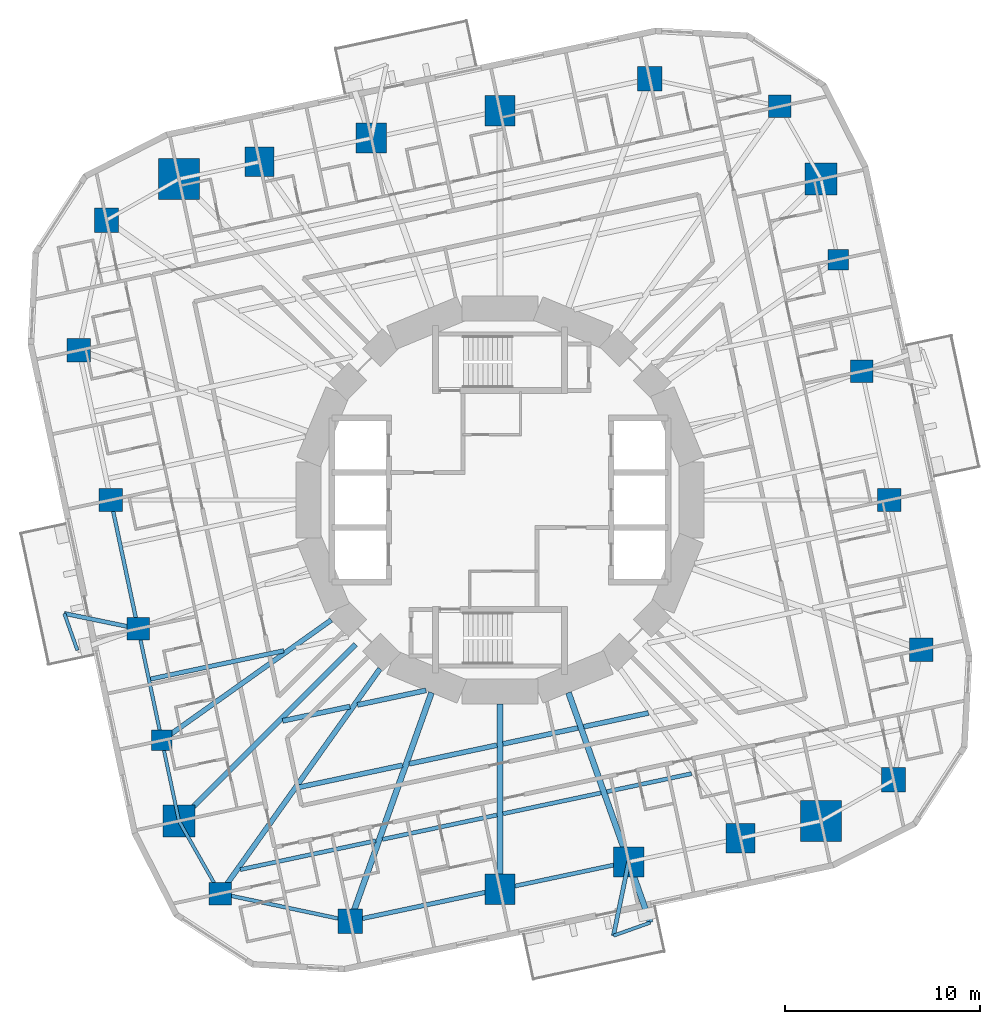
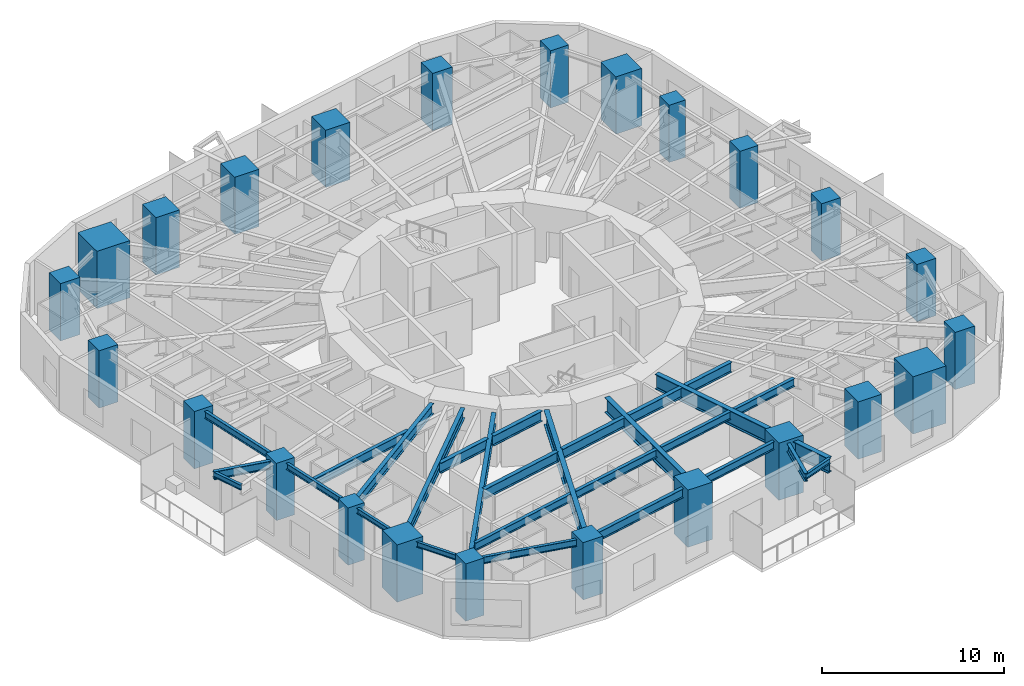
# One storey, part 1 of 14: 28 beams, 24 columns.
"""IFC4 building model written with IfcOpenShell, lengths in metres."""

from ifc_helpers import new_model, si_unit, direction, frame, origin, origin_2d, place, context, subcontext, project, spatial, rectangle, i_section, extrude, material, material_profile, profile_set, type_object, element, save


model = new_model("IFC4")

# Units and contexts
model_context = context("Model", 3, precision=1e-05, world=origin(), true_north=direction((0.0, 1.0)))
body_context = subcontext(model_context, "Body", "Model", "MODEL_VIEW")
ifc_project = project(units=[si_unit("LENGTHUNIT", "METRE"), si_unit("AREAUNIT", "SQUARE_METRE"), si_unit("VOLUMEUNIT", "CUBIC_METRE"), si_unit("PLANEANGLEUNIT", "RADIAN"), si_unit("MASSUNIT", "GRAM", prefix="KILO")], contexts=[model_context])

# Site, building, storey
site_placement = place(None, origin())
site = spatial("IfcSite", under=ifc_project, at=site_placement, CompositionType="ELEMENT")
building_placement = place(site_placement, origin())
building = spatial("IfcBuilding", under=site, at=building_placement, Name="Nakasero Lantern House", CompositionType="ELEMENT")
storey_placement = place(building_placement, frame((0.0, 0.0, 105.0)))
storey = spatial("IfcBuildingStorey", under=building, at=storey_placement, Name="L25", CompositionType="ELEMENT", Elevation=105.0)

# Columns
ifc_material_1 = material(Name="Concrete C50/60", Category="concrete")
ifc_material_profile_1 = material_profile(ifc_material_1, rectangle(XDim=1.64990234375, YDim=1.64990234375, at=origin_2d()), Name="RC 1650x1650")
ifc_profile_set_1 = profile_set([ifc_material_profile_1], Name="Concrete C50/60")
column_type_1 = type_object("IfcColumnType", Name="Mega column RC 1650x1650 C50/60", PredefinedType="COLUMN", material=ifc_profile_set_1)
for number, where, z_axis, x_axis, name in (
    (1, (16.44091796875, 16.44091796875, 0.0), (0.0, 0.0, 1.0), (1.0, 0.0, 0.0), "Column B3-C06 L25"),
    (2, (-16.44091796875, -16.44091796875, 0.0), (0.0, 0.0, 1.0), (1.0, 0.0, 0.0), "Column B3-C18 L25"),
):
    element("IfcColumn", number, at=place(storey_placement, frame(where, z_axis=z_axis, x_axis=x_axis)), inside=storey, type_object=column_type_1, Name=name, PredefinedType="COLUMN", context=body_context, shape_type="SweptSolid", body=[
        extrude(rectangle(XDim=1.64990234375, YDim=1.64990234375, at=origin_2d()), origin(), (0.0, 0.0, 1.0), 3.85009765625),
    ])
ifc_material_2 = material(Name="Concrete C50/60", Category="concrete")
ifc_material_profile_2 = material_profile(ifc_material_2, rectangle(XDim=2.10009765625, YDim=2.10009765625, at=origin_2d()), Name="RC 2100x2100")
ifc_profile_set_2 = profile_set([ifc_material_profile_2], Name="Concrete C50/60")
column_type_2 = type_object("IfcColumnType", Name="Mega column RC 2100x2100 C50/60", PredefinedType="COLUMN", material=ifc_profile_set_2)
for number, where, z_axis, x_axis, name in (
    (3, (-16.44091796875, 16.44091796875, 0.0), (0.0, 0.0, 1.0), (1.0, 0.0, 0.0), "Column B3-C12 L25"),
    (4, (16.44091796875, -16.44091796875, 0.0), (0.0, 0.0, 1.0), (1.0, 0.0, 0.0), "Column B3-C24 L25"),
):
    element("IfcColumn", number, at=place(storey_placement, frame(where, z_axis=z_axis, x_axis=x_axis)), inside=storey, type_object=column_type_2, Name=name, PredefinedType="COLUMN", context=body_context, shape_type="SweptSolid", body=[
        extrude(rectangle(XDim=2.10009765625, YDim=2.10009765625, at=origin_2d()), origin(), (0.0, 0.0, 1.0), 3.85009765625),
    ])
ifc_material_3 = material(Name="Concrete C50/60", Category="concrete")
ifc_material_profile_3 = material_profile(ifc_material_3, rectangle(XDim=1.050048828125, YDim=1.050048828125, at=origin_2d()), Name="RC 1050x1050")
ifc_profile_set_3 = profile_set([ifc_material_profile_3], Name="Concrete C50/60")
column_type_3 = type_object("IfcColumnType", Name="Ring column RC 1050x1050 C50/60", PredefinedType="COLUMN", material=ifc_profile_set_3)
for number, where, z_axis, x_axis, name in (
    (5, (17.318115234375, 12.31494140625, 0.0), (0.0, 0.0, 1.0), (1.0, 0.0, 0.0), "Column B3-C05 L25"),
    (6, (-17.318115234375, -12.31494140625, 0.0), (0.0, 0.0, 1.0), (1.0, 0.0, 0.0), "Column B3-C17 L25"),
):
    element("IfcColumn", number, at=place(storey_placement, frame(where, z_axis=z_axis, x_axis=x_axis)), inside=storey, type_object=column_type_3, Name=name, PredefinedType="COLUMN", context=body_context, shape_type="SweptSolid", body=[
        extrude(rectangle(XDim=1.050048828125, YDim=1.050048828125, at=origin_2d()), origin(), (0.0, 0.0, 1.0), 3.85009765625),
    ])
ifc_material_4 = material(Name="Concrete C50/60", Category="concrete")
ifc_material_profile_4 = material_profile(ifc_material_4, rectangle(XDim=1.14990234375, YDim=1.14990234375, at=origin_2d()), Name="RC 1150x1150")
ifc_profile_set_4 = profile_set([ifc_material_profile_4], Name="Concrete C50/60")
column_type_4 = type_object("IfcColumnType", Name="Ring column RC 1150x1150 C50/60", PredefinedType="COLUMN", material=ifc_profile_set_4)
for number, where, z_axis, x_axis, name in (
    (7, (18.534912109375, 6.590087890625, 0.0), (0.0, 0.0, 1.0), (1.0, 0.0, 0.0), "Column B3-C04 L25"),
    (8, (14.33349609375, 20.15625, 0.0), (0.0, 0.0, 1.0), (1.0, 0.0, 0.0), "Column B3-C07 L25"),
    (9, (-18.534912109375, -6.590087890625, 0.0), (0.0, 0.0, 1.0), (1.0, 0.0, 0.0), "Column B3-C16 L25"),
    (10, (-14.33349609375, -20.15625, 0.0), (0.0, 0.0, 1.0), (1.0, 0.0, 0.0), "Column B3-C19 L25"),
):
    element("IfcColumn", number, at=place(storey_placement, frame(where, z_axis=z_axis, x_axis=x_axis)), inside=storey, type_object=column_type_4, Name=name, PredefinedType="COLUMN", context=body_context, shape_type="SweptSolid", body=[
        extrude(rectangle(XDim=1.14990234375, YDim=1.14990234375, at=origin_2d()), origin(), (0.0, 0.0, 1.0), 3.85009765625),
    ])
ifc_material_5 = material(Name="Concrete C50/60", Category="concrete")
ifc_material_profile_5 = material_profile(ifc_material_5, rectangle(XDim=1.199951171875, YDim=1.199951171875, at=origin_2d()), Name="RC 1200x1200")
ifc_profile_set_5 = profile_set([ifc_material_profile_5], Name="Concrete C50/60")
column_type_5 = type_object("IfcColumnType", Name="Ring column RC 1200x1200 C50/60", PredefinedType="COLUMN", material=ifc_profile_set_5)
for number, where, z_axis, x_axis, name in (
    (11, (21.5654296875, -7.667724609375, 0.0), (0.0, 0.0, 1.0), (1.0, 0.0, 0.0), "Column B3-C02 L25"),
    (12, (19.935546875, 0.0, 0.0), (0.0, 0.0, 1.0), (1.0, 0.0, 0.0), "Column B3-C03 L25"),
    (13, (-21.5654296875, 7.667724609375, 0.0), (0.0, 0.0, 1.0), (1.0, 0.0, 0.0), "Column B3-C14 L25"),
    (14, (-19.935546875, 0.0, 0.0), (0.0, 0.0, 1.0), (1.0, 0.0, 0.0), "Column B3-C15 L25"),
):
    element("IfcColumn", number, at=place(storey_placement, frame(where, z_axis=z_axis, x_axis=x_axis)), inside=storey, type_object=column_type_5, Name=name, PredefinedType="COLUMN", context=body_context, shape_type="SweptSolid", body=[
        extrude(rectangle(XDim=1.199951171875, YDim=1.199951171875, at=origin_2d()), origin(), (0.0, 0.0, 1.0), 3.85009765625),
    ])
ifc_material_6 = material(Name="Concrete C50/60", Category="concrete")
ifc_material_profile_6 = material_profile(ifc_material_6, rectangle(XDim=1.25, YDim=1.25, at=origin_2d()), Name="RC 1250x1250")
ifc_profile_set_6 = profile_set([ifc_material_profile_6], Name="Concrete C50/60")
column_type_6 = type_object("IfcColumnType", Name="Ring column RC 1250x1250 C50/60", PredefinedType="COLUMN", material=ifc_profile_set_6)
for number, where, z_axis, x_axis, name in (
    (15, (20.15625, -14.33349609375, 0.0), (0.0, 0.0, 1.0), (1.0, 0.0, 0.0), "Column B3-C01 L25"),
    (16, (7.667724609375, 21.5654296875, 0.0), (0.0, 0.0, 1.0), (1.0, 0.0, 0.0), "Column B3-C08 L25"),
    (17, (-20.15625, 14.33349609375, 0.0), (0.0, 0.0, 1.0), (1.0, 0.0, 0.0), "Column B3-C13 L25"),
    (18, (-7.667724609375, -21.5654296875, 0.0), (0.0, 0.0, 1.0), (1.0, 0.0, 0.0), "Column B3-C20 L25"),
):
    element("IfcColumn", number, at=place(storey_placement, frame(where, z_axis=z_axis, x_axis=x_axis)), inside=storey, type_object=column_type_6, Name=name, PredefinedType="COLUMN", context=body_context, shape_type="SweptSolid", body=[
        extrude(rectangle(XDim=1.25, YDim=1.25, at=origin_2d()), origin(), (0.0, 0.0, 1.0), 3.85009765625),
    ])
ifc_material_7 = material(Name="Concrete C50/60", Category="concrete")
ifc_material_profile_7 = material_profile(ifc_material_7, rectangle(XDim=1.5, YDim=1.5, at=origin_2d()), Name="RC 1500x1500")
ifc_profile_set_7 = profile_set([ifc_material_profile_7], Name="Concrete C50/60")
column_type_7 = type_object("IfcColumnType", Name="Ring column RC 1500x1500 C50/60", PredefinedType="COLUMN", material=ifc_profile_set_7)
for number, where, z_axis, x_axis, name in (
    (19, (-12.31494140625, 17.318115234375, 0.0), (0.0, 0.0, 1.0), (1.0, 0.0, 0.0), "Column B3-C11 L25"),
    (20, (12.31494140625, -17.318115234375, 0.0), (0.0, 0.0, 1.0), (1.0, 0.0, 0.0), "Column B3-C23 L25"),
):
    element("IfcColumn", number, at=place(storey_placement, frame(where, z_axis=z_axis, x_axis=x_axis)), inside=storey, type_object=column_type_7, Name=name, PredefinedType="COLUMN", context=body_context, shape_type="SweptSolid", body=[
        extrude(rectangle(XDim=1.5, YDim=1.5, at=origin_2d()), origin(), (0.0, 0.0, 1.0), 3.85009765625),
    ])
ifc_material_8 = material(Name="Concrete C50/60", Category="concrete")
ifc_material_profile_8 = material_profile(ifc_material_8, rectangle(XDim=1.550048828125, YDim=1.550048828125, at=origin_2d()), Name="RC 1550x1550")
ifc_profile_set_8 = profile_set([ifc_material_profile_8], Name="Concrete C50/60")
column_type_8 = type_object("IfcColumnType", Name="Ring column RC 1550x1550 C50/60", PredefinedType="COLUMN", material=ifc_profile_set_8)
for number, where, z_axis, x_axis, name in (
    (21, (0.0, 19.935546875, 0.0), (0.0, 0.0, 1.0), (1.0, 0.0, 0.0), "Column B3-C09 L25"),
    (22, (-6.590087890625, 18.534912109375, 0.0), (0.0, 0.0, 1.0), (1.0, 0.0, 0.0), "Column B3-C10 L25"),
    (23, (0.0, -19.935546875, 0.0), (0.0, 0.0, 1.0), (1.0, 0.0, 0.0), "Column B3-C21 L25"),
    (24, (6.590087890625, -18.534912109375, 0.0), (0.0, 0.0, 1.0), (1.0, 0.0, 0.0), "Column B3-C22 L25"),
):
    element("IfcColumn", number, at=place(storey_placement, frame(where, z_axis=z_axis, x_axis=x_axis)), inside=storey, type_object=column_type_8, Name=name, PredefinedType="COLUMN", context=body_context, shape_type="SweptSolid", body=[
        extrude(rectangle(XDim=1.550048828125, YDim=1.550048828125, at=origin_2d()), origin(), (0.0, 0.0, 1.0), 3.85009765625),
    ])

# Beams
ifc_material_9 = material(Name="Steel S355", Category="steel")
ifc_material_profile_9 = material_profile(ifc_material_9, i_section(OverallWidth=0.2138671875, OverallDepth=0.549072265625, WebThickness=0.0146484375, FlangeThickness=0.023681640625, FilletRadius=0.0126953125, at=origin_2d()), Name="UB 533x210x138")
ifc_profile_set_9 = profile_set([ifc_material_profile_9], Name="Steel S355")
beam_type_1 = type_object("IfcBeamType", Name="Balcony splay beam UB 533x210x138", PredefinedType="BEAM", material=ifc_profile_set_9)
for number, where, z_axis, x_axis, name in (
    (25, (-18.534912109375, -6.590087890625, 3.37548828125), (-0.979420272605, 0.201831438605, 0.0), (-0.201831438605, -0.979420272605, 0.0), "Balcony splay beam L26 B3-C16A"),
    (26, (6.590087890625, -18.534912109375, 3.37548828125), (-0.201831438605, -0.979420272605, 0.0), (0.979420272605, -0.201831438605, 0.0), "Balcony splay beam L26 B3-C22A"),
):
    element("IfcBeam", number, at=place(storey_placement, frame(where, z_axis=z_axis, x_axis=x_axis)), inside=storey, type_object=beam_type_1, Name=name, PredefinedType="BEAM", context=body_context, shape_type="SweptSolid", body=[
        extrude(i_section(OverallWidth=0.2138671875, OverallDepth=0.549072265625, WebThickness=0.0146484375, FlangeThickness=0.023681640625, FilletRadius=0.0126953125, at=origin_2d()), origin(), (0.0, 0.0, 1.0), 3.858642578125),
    ])
ifc_material_10 = material(Name="Steel S355", Category="steel")
ifc_material_profile_10 = material_profile(ifc_material_10, i_section(OverallWidth=0.17138671875, OverallDepth=0.35498046875, WebThickness=0.00732421875, FlangeThickness=0.011474609375, FilletRadius=0.01025390625, at=origin_2d()), Name="UB 356x171x51")
ifc_profile_set_10 = profile_set([ifc_material_profile_10], Name="Steel S355")
beam_type_2 = type_object("IfcBeamType", Name="Balcony tie beam UB 356x171x51", PredefinedType="BEAM", material=ifc_profile_set_10)
for number, where, z_axis, x_axis, name in (
    (27, (-22.314208984375, -5.811279296875, 3.472412109375), (0.335060236487, -0.942196708721, 0.0), (0.942196708721, 0.335060236487, 0.0), "Balcony tie beam L26 B3-C16"),
    (28, (5.811279296875, -22.314208984375, 3.472412109375), (0.942196708721, 0.335060236487, 0.0), (-0.335060236487, 0.942196708721, 0.0), "Balcony tie beam L26 B3-C22"),
):
    element("IfcBeam", number, at=place(storey_placement, frame(where, z_axis=z_axis, x_axis=x_axis)), inside=storey, type_object=beam_type_2, Name=name, PredefinedType="BEAM", context=body_context, shape_type="SweptSolid", body=[
        extrude(i_section(OverallWidth=0.17138671875, OverallDepth=0.35498046875, WebThickness=0.00732421875, FlangeThickness=0.011474609375, FilletRadius=0.01025390625, at=origin_2d()), origin(), (0.0, 0.0, 1.0), 2.000244140625),
    ])
ifc_material_11 = material(Name="Steel S355", Category="steel")
ifc_material_profile_11 = material_profile(ifc_material_11, i_section(OverallWidth=0.2099609375, OverallDepth=0.53662109375, WebThickness=0.0107421875, FlangeThickness=0.017333984375, FilletRadius=0.0126953125, at=origin_2d()), Name="UB 533x210x101")
ifc_profile_set_11 = profile_set([ifc_material_profile_11], Name="Steel S355")
beam_type_3 = type_object("IfcBeamType", Name="Infill beam UB 533x210x101", PredefinedType="JOIST", material=ifc_profile_set_11)
beam_1_placement = place(storey_placement, frame((-13.29638671875, -18.927978515625, 3.381591796875), z_axis=(0.978149480204, 0.207902848411, 0.0), x_axis=(-0.207902848411, 0.978149480204, 0.0)))
element("IfcBeam", 29, at=beam_1_placement, inside=storey, type_object=beam_type_3, Name="Infill beam L26 03.1", PredefinedType="JOIST", context=body_context, shape_type="SweptSolid", body=[
    extrude(i_section(OverallWidth=0.2099609375, OverallDepth=0.53662109375, WebThickness=0.0107421875, FlangeThickness=0.017333984375, FilletRadius=0.0126953125, at=origin_2d()), origin(), (0.0, 0.0, 1.0), 7.085693359375),
])
beam_2_placement = place(storey_placement, frame((-6.02099609375, -17.381591796875, 3.381591796875), z_axis=(0.97814819896, 0.207908876365, 0.0), x_axis=(-0.207908876365, 0.97814819896, 0.0)))
element("IfcBeam", 30, at=beam_2_placement, inside=storey, type_object=beam_type_3, Name="Infill beam L26 03.2", PredefinedType="JOIST", context=body_context, shape_type="SweptSolid", body=[
    extrude(i_section(OverallWidth=0.2099609375, OverallDepth=0.53662109375, WebThickness=0.0107421875, FlangeThickness=0.017333984375, FilletRadius=0.0126953125, at=origin_2d()), origin(), (0.0, 0.0, 1.0), 6.00048828125),
])
beam_3_placement = place(storey_placement, frame((0.151611328125, -16.069580078125, 3.381591796875), z_axis=(0.978152445518, 0.207888896593, 0.0), x_axis=(-0.207888896593, 0.978152445518, 0.0)))
element("IfcBeam", 31, at=beam_3_placement, inside=storey, type_object=beam_type_3, Name="Infill beam L26 03.3", PredefinedType="JOIST", context=body_context, shape_type="SweptSolid", body=[
    extrude(i_section(OverallWidth=0.2099609375, OverallDepth=0.53662109375, WebThickness=0.0107421875, FlangeThickness=0.017333984375, FilletRadius=0.0126953125, at=origin_2d()), origin(), (0.0, 0.0, 1.0), 5.13427734375),
])
beam_4_placement = place(storey_placement, frame((5.471923828125, -14.938720703125, 3.381591796875), z_axis=(0.978149057111, 0.207904838982, 0.0), x_axis=(-0.207904838982, 0.978149057111, 0.0)))
element("IfcBeam", 32, at=beam_4_placement, inside=storey, type_object=beam_type_3, Name="Infill beam L26 03.4", PredefinedType="JOIST", context=body_context, shape_type="SweptSolid", body=[
    extrude(i_section(OverallWidth=0.2099609375, OverallDepth=0.53662109375, WebThickness=0.0107421875, FlangeThickness=0.017333984375, FilletRadius=0.0126953125, at=origin_2d()), origin(), (0.0, 0.0, 1.0), 4.435302734375),
])
ifc_material_12 = material(Name="Steel S355", Category="steel")
ifc_material_profile_12 = material_profile(ifc_material_12, i_section(OverallWidth=0.2275390625, OverallDepth=0.6025390625, WebThickness=0.010498046875, FlangeThickness=0.014892578125, FilletRadius=0.0126953125, at=origin_2d()), Name="UB 610x229x101")
ifc_profile_set_12 = profile_set([ifc_material_profile_12], Name="Steel S355")
beam_type_4 = type_object("IfcBeamType", Name="Infill beam UB 610x229x101", PredefinedType="JOIST", material=ifc_profile_set_12)
beam_5_placement = place(storey_placement, frame((-17.895263671875, -9.171142578125, 3.3486328125), z_axis=(0.978143535939, 0.207930813255, 0.0), x_axis=(-0.207930813255, 0.978143535939, 0.0)))
element("IfcBeam", 33, at=beam_5_placement, inside=storey, type_object=beam_type_4, Name="Infill beam L26 06.1", PredefinedType="JOIST", context=body_context, shape_type="SweptSolid", body=[
    extrude(i_section(OverallWidth=0.2275390625, OverallDepth=0.6025390625, WebThickness=0.010498046875, FlangeThickness=0.014892578125, FilletRadius=0.0126953125, at=origin_2d()), origin(), (0.0, 0.0, 1.0), 6.9697265625),
])
ifc_material_13 = material(Name="Steel S355", Category="steel")
ifc_material_profile_13 = material_profile(ifc_material_13, i_section(OverallWidth=0.253662109375, OverallDepth=0.68359375, WebThickness=0.012451171875, FlangeThickness=0.01904296875, FilletRadius=0.01513671875, at=origin_2d()), Name="UB 686x254x140")
ifc_profile_set_13 = profile_set([ifc_material_profile_13], Name="Steel S355")
beam_type_5 = type_object("IfcBeamType", Name="Infill beam UB 686x254x140", PredefinedType="JOIST", material=ifc_profile_set_13)
beam_6_placement = place(storey_placement, frame((-10.298828125, -14.712646484375, 3.308349609375), z_axis=(0.978155764637, 0.207873278962, 0.0), x_axis=(-0.207873278962, 0.978155764637, 0.0)))
element("IfcBeam", 34, at=beam_6_placement, inside=storey, type_object=beam_type_5, Name="Infill beam L26 04.1", PredefinedType="JOIST", context=body_context, shape_type="SweptSolid", body=[
    extrude(i_section(OverallWidth=0.253662109375, OverallDepth=0.68359375, WebThickness=0.012451171875, FlangeThickness=0.01904296875, FilletRadius=0.01513671875, at=origin_2d()), origin(), (0.0, 0.0, 1.0), 5.428466796875),
])
beam_7_placement = place(storey_placement, frame((-4.644775390625, -13.510986328125, 3.308349609375), z_axis=(0.978146422144, 0.20791723557, 0.0), x_axis=(-0.20791723557, 0.978146422144, 0.0)))
element("IfcBeam", 35, at=beam_7_placement, inside=storey, type_object=beam_type_5, Name="Infill beam L26 04.2", PredefinedType="JOIST", context=body_context, shape_type="SweptSolid", body=[
    extrude(i_section(OverallWidth=0.253662109375, OverallDepth=0.68359375, WebThickness=0.012451171875, FlangeThickness=0.01904296875, FilletRadius=0.01513671875, at=origin_2d()), origin(), (0.0, 0.0, 1.0), 4.593505859375),
])
beam_8_placement = place(storey_placement, frame((0.151611328125, -12.491455078125, 3.308349609375), z_axis=(0.978143356538, 0.207931657186, 0.0), x_axis=(-0.207931657186, 0.978143356538, 0.0)))
element("IfcBeam", 36, at=beam_8_placement, inside=storey, type_object=beam_type_5, Name="Infill beam L26 04.3", PredefinedType="JOIST", context=body_context, shape_type="SweptSolid", body=[
    extrude(i_section(OverallWidth=0.253662109375, OverallDepth=0.68359375, WebThickness=0.012451171875, FlangeThickness=0.01904296875, FilletRadius=0.01513671875, at=origin_2d()), origin(), (0.0, 0.0, 1.0), 3.925048828125),
])
beam_9_placement = place(storey_placement, frame((4.2890625, -11.612060546875, 3.308349609375), z_axis=(0.978143084163, 0.207932938478, 0.0), x_axis=(-0.207932938478, 0.978143084163, 0.0)))
element("IfcBeam", 37, at=beam_9_placement, inside=storey, type_object=beam_type_5, Name="Infill beam L26 04.4", PredefinedType="JOIST", context=body_context, shape_type="SweptSolid", body=[
    extrude(i_section(OverallWidth=0.253662109375, OverallDepth=0.68359375, WebThickness=0.012451171875, FlangeThickness=0.01904296875, FilletRadius=0.01513671875, at=origin_2d()), origin(), (0.0, 0.0, 1.0), 3.385009765625),
])
ifc_material_14 = material(Name="Steel S355", Category="steel")
ifc_material_profile_14 = material_profile(ifc_material_14, i_section(OverallWidth=0.255859375, OverallDepth=0.69287109375, WebThickness=0.014404296875, FlangeThickness=0.023681640625, FilletRadius=0.01513671875, at=origin_2d()), Name="UB 686x254x170")
ifc_profile_set_14 = profile_set([ifc_material_profile_14], Name="Steel S355")
beam_type_6 = type_object("IfcBeamType", Name="Infill beam UB 686x254x170", PredefinedType="JOIST", material=ifc_profile_set_14)
beam_10_placement = place(storey_placement, frame((-11.13232421875, -11.311767578125, 3.303466796875), z_axis=(0.97814493323, 0.20792424004, 0.0), x_axis=(-0.20792424004, 0.97814493323, 0.0)))
element("IfcBeam", 38, at=beam_10_placement, inside=storey, type_object=beam_type_6, Name="Infill beam L26 05.1", PredefinedType="JOIST", context=body_context, shape_type="SweptSolid", body=[
    extrude(i_section(OverallWidth=0.255859375, OverallDepth=0.69287109375, WebThickness=0.014404296875, FlangeThickness=0.023681640625, FilletRadius=0.01513671875, at=origin_2d()), origin(), (0.0, 0.0, 1.0), 3.5224609375),
])
beam_11_placement = place(storey_placement, frame((-7.30126953125, -10.497314453125, 3.303466796875), z_axis=(0.978149176892, 0.207904275439, 0.0), x_axis=(-0.207904275439, 0.978149176892, 0.0)))
element("IfcBeam", 39, at=beam_11_placement, inside=storey, type_object=beam_type_6, Name="Infill beam L26 05.2", PredefinedType="JOIST", context=body_context, shape_type="SweptSolid", body=[
    extrude(i_section(OverallWidth=0.255859375, OverallDepth=0.69287109375, WebThickness=0.014404296875, FlangeThickness=0.023681640625, FilletRadius=0.01513671875, at=origin_2d()), origin(), (0.0, 0.0, 1.0), 3.59228515625),
])
ifc_material_15 = material(Name="Steel S355", Category="steel")
ifc_material_profile_15 = material_profile(ifc_material_15, i_section(OverallWidth=0.300048828125, OverallDepth=0.989990234375, WebThickness=0.0166015625, FlangeThickness=0.031005859375, FilletRadius=0.030029296875, at=origin_2d()), Name="UB 1016x305x272")
ifc_profile_set_15 = profile_set([ifc_material_profile_15], Name="Steel S355")
beam_type_7 = type_object("IfcBeamType", Name="Primary beam UB 1016x305x272, span 12 to 15 m", PredefinedType="BEAM", material=ifc_profile_set_15)
beam_12_placement = place(storey_placement, frame((-7.667724609375, -21.5654296875, 3.155029296875), z_axis=(0.335011995103, 0.942213862739, 0.0), x_axis=(-0.942213862739, 0.335011995103, 0.0)))
element("IfcBeam", 40, at=beam_12_placement, inside=storey, type_object=beam_type_7, Name="Primary beam L26 B3-C20", PredefinedType="BEAM", context=body_context, shape_type="SweptSolid", body=[
    extrude(i_section(OverallWidth=0.300048828125, OverallDepth=0.989990234375, WebThickness=0.0166015625, FlangeThickness=0.031005859375, FilletRadius=0.030029296875, at=origin_2d()), origin(), (0.0, 0.0, 1.0), 12.41650390625),
])
ifc_material_16 = material(Name="Steel S355", Category="steel")
ifc_material_profile_16 = material_profile(ifc_material_16, i_section(OverallWidth=0.302001953125, OverallDepth=1.008056640625, WebThickness=0.02099609375, FlangeThickness=0.0400390625, FilletRadius=0.030029296875, at=origin_2d()), Name="UB 1016x305x349")
ifc_profile_set_16 = profile_set([ifc_material_profile_16], Name="Steel S355")
beam_type_8 = type_object("IfcBeamType", Name="Primary beam UB 1016x305x349, span 9 to 12 m", PredefinedType="BEAM", material=ifc_profile_set_16)
beam_13_placement = place(storey_placement, frame((7.69580078125, -21.64404296875, 3.14599609375), z_axis=(-0.335020841845, 0.942210717159, 0.0), x_axis=(-0.942210717159, -0.335020841845, 0.0)))
element("IfcBeam", 41, at=beam_13_placement, inside=storey, type_object=beam_type_8, Name="Primary beam L26 B3-C22", PredefinedType="BEAM", context=body_context, shape_type="SweptSolid", body=[
    extrude(i_section(OverallWidth=0.302001953125, OverallDepth=1.008056640625, WebThickness=0.02099609375, FlangeThickness=0.0400390625, FilletRadius=0.030029296875, at=origin_2d()), origin(), (0.0, 0.0, 1.0), 12.5),
])
ifc_material_17 = material(Name="Steel S355", Category="steel")
ifc_material_profile_17 = material_profile(ifc_material_17, i_section(OverallWidth=0.302978515625, OverallDepth=1.015869140625, WebThickness=0.0244140625, FlangeThickness=0.0439453125, FilletRadius=0.030029296875, at=origin_2d()), Name="UB 1016x305x393")
ifc_profile_set_17 = profile_set([ifc_material_profile_17], Name="Steel S355")
beam_type_9 = type_object("IfcBeamType", Name="Primary beam UB 1016x305x393, span 9 to 12 m", PredefinedType="BEAM", material=ifc_profile_set_17)
beam_14_placement = place(storey_placement, frame((0.0, -19.935546875, 3.14208984375), z_axis=(0.0, 1.0, 0.0), x_axis=(-1.0, 0.0, 0.0)))
element("IfcBeam", 42, at=beam_14_placement, inside=storey, type_object=beam_type_9, Name="Primary beam L26 B3-C21", PredefinedType="BEAM", context=body_context, shape_type="SweptSolid", body=[
    extrude(i_section(OverallWidth=0.302978515625, OverallDepth=1.015869140625, WebThickness=0.0244140625, FlangeThickness=0.0439453125, FilletRadius=0.030029296875, at=origin_2d()), origin(), (0.0, 0.0, 1.0), 9.477783203125),
])
ifc_material_18 = material(Name="Steel S355", Category="steel")
ifc_material_profile_18 = material_profile(ifc_material_18, i_section(OverallWidth=0.253662109375, OverallDepth=0.68359375, WebThickness=0.012451171875, FlangeThickness=0.01904296875, FilletRadius=0.01513671875, at=origin_2d()), Name="UB 686x254x140")
ifc_profile_set_18 = profile_set([ifc_material_profile_18], Name="Steel S355")
beam_type_10 = type_object("IfcBeamType", Name="Primary beam UB 686x254x140, span 12 to 15 m", PredefinedType="BEAM", material=ifc_profile_set_18)
beam_15_placement = place(storey_placement, frame((-16.44091796875, -16.44091796875, 3.308349609375), z_axis=(0.707106781187, 0.707106781187, 0.0), x_axis=(-0.707106781187, 0.707106781187, 0.0)))
element("IfcBeam", 43, at=beam_15_placement, inside=storey, type_object=beam_type_10, Name="Primary beam L26 B3-C18", PredefinedType="BEAM", context=body_context, shape_type="SweptSolid", body=[
    extrude(i_section(OverallWidth=0.253662109375, OverallDepth=0.68359375, WebThickness=0.012451171875, FlangeThickness=0.01904296875, FilletRadius=0.01513671875, at=origin_2d()), origin(), (0.0, 0.0, 1.0), 12.793212890625),
])
ifc_material_19 = material(Name="Steel S355", Category="steel")
ifc_material_profile_19 = material_profile(ifc_material_19, i_section(OverallWidth=0.253662109375, OverallDepth=0.68359375, WebThickness=0.012451171875, FlangeThickness=0.01904296875, FilletRadius=0.01513671875, at=origin_2d()), Name="UB 686x254x140")
ifc_profile_set_19 = profile_set([ifc_material_profile_19], Name="Steel S355")
beam_type_11 = type_object("IfcBeamType", Name="Primary beam UB 686x254x140, span 9 to 12 m", PredefinedType="BEAM", material=ifc_profile_set_19)
beam_16_placement = place(storey_placement, frame((-17.318115234375, -12.31494140625, 3.308349609375), z_axis=(0.814957491022, 0.579520739774, 0.0), x_axis=(-0.579520739774, 0.814957491022, 0.0)))
element("IfcBeam", 44, at=beam_16_placement, inside=storey, type_object=beam_type_11, Name="Primary beam L26 B3-C17", PredefinedType="BEAM", context=body_context, shape_type="SweptSolid", body=[
    extrude(i_section(OverallWidth=0.253662109375, OverallDepth=0.68359375, WebThickness=0.012451171875, FlangeThickness=0.01904296875, FilletRadius=0.01513671875, at=origin_2d()), origin(), (0.0, 0.0, 1.0), 10.64453125),
])
ifc_material_20 = material(Name="Steel S355", Category="steel")
ifc_material_profile_20 = material_profile(ifc_material_20, i_section(OverallWidth=0.2666015625, OverallDepth=0.76220703125, WebThickness=0.014404296875, FlangeThickness=0.021484375, FilletRadius=0.0166015625, at=origin_2d()), Name="UB 762x267x173")
ifc_profile_set_20 = profile_set([ifc_material_profile_20], Name="Steel S355")
beam_type_12 = type_object("IfcBeamType", Name="Primary beam UB 762x267x173, span 12 to 15 m", PredefinedType="BEAM", material=ifc_profile_set_20)
beam_17_placement = place(storey_placement, frame((-14.33349609375, -20.15625, 3.268798828125), z_axis=(0.57953679421, 0.814946074386, 0.0), x_axis=(-0.814946074386, 0.57953679421, 0.0)))
element("IfcBeam", 45, at=beam_17_placement, inside=storey, type_object=beam_type_12, Name="Primary beam L26 B3-C19", PredefinedType="BEAM", context=body_context, shape_type="SweptSolid", body=[
    extrude(i_section(OverallWidth=0.2666015625, OverallDepth=0.76220703125, WebThickness=0.014404296875, FlangeThickness=0.021484375, FilletRadius=0.0166015625, at=origin_2d()), origin(), (0.0, 0.0, 1.0), 14.127197265625),
])
ifc_material_21 = material(Name="Steel S355", Category="steel")
ifc_material_profile_21 = material_profile(ifc_material_21, i_section(OverallWidth=0.17138671875, OverallDepth=0.35498046875, WebThickness=0.00732421875, FlangeThickness=0.011474609375, FilletRadius=0.01025390625, at=origin_2d()), Name="UB 356x171x51")
ifc_profile_set_21 = profile_set([ifc_material_profile_21], Name="Steel S355")
beam_type_13 = type_object("IfcBeamType", Name="Ring beam UB 356x171x51", PredefinedType="BEAM", material=ifc_profile_set_21)
beam_18_placement = place(storey_placement, frame((-17.318115234375, -12.31494140625, 3.472412109375), z_axis=(0.207955665195, -0.978138252658, 0.0), x_axis=(0.978138252658, 0.207955665195, 0.0)))
element("IfcBeam", 46, at=beam_18_placement, inside=storey, type_object=beam_type_13, Name="Ring beam L26 B3-C17", PredefinedType="BEAM", context=body_context, shape_type="SweptSolid", body=[
    extrude(i_section(OverallWidth=0.17138671875, OverallDepth=0.35498046875, WebThickness=0.00732421875, FlangeThickness=0.011474609375, FilletRadius=0.01025390625, at=origin_2d()), origin(), (0.0, 0.0, 1.0), 4.21826171875),
])
beam_19_placement = place(storey_placement, frame((-16.44091796875, -16.44091796875, 3.472412109375), z_axis=(0.493378832737, -0.869814536213, 0.0), x_axis=(0.869814536213, 0.493378832737, 0.0)))
element("IfcBeam", 47, at=beam_19_placement, inside=storey, type_object=beam_type_13, Name="Ring beam L26 B3-C18", PredefinedType="BEAM", context=body_context, shape_type="SweptSolid", body=[
    extrude(i_section(OverallWidth=0.17138671875, OverallDepth=0.35498046875, WebThickness=0.00732421875, FlangeThickness=0.011474609375, FilletRadius=0.01025390625, at=origin_2d()), origin(), (0.0, 0.0, 1.0), 4.271484375),
])
ifc_material_22 = material(Name="Steel S355", Category="steel")
ifc_material_profile_22 = material_profile(ifc_material_22, i_section(OverallWidth=0.177978515625, OverallDepth=0.406494140625, WebThickness=0.0078125, FlangeThickness=0.0126953125, FilletRadius=0.01025390625, at=origin_2d()), Name="UB 406x178x60")
ifc_profile_set_22 = profile_set([ifc_material_profile_22], Name="Steel S355")
beam_type_14 = type_object("IfcBeamType", Name="Ring beam UB 406x178x60", PredefinedType="BEAM", material=ifc_profile_set_22)
beam_20_placement = place(storey_placement, frame((-18.534912109375, -6.590087890625, 3.44677734375), z_axis=(0.207902159541, -0.978149626621, 0.0), x_axis=(0.978149626621, 0.207902159541, 0.0)))
element("IfcBeam", 48, at=beam_20_placement, inside=storey, type_object=beam_type_14, Name="Ring beam L26 B3-C16", PredefinedType="BEAM", context=body_context, shape_type="SweptSolid", body=[
    extrude(i_section(OverallWidth=0.177978515625, OverallDepth=0.406494140625, WebThickness=0.0078125, FlangeThickness=0.0126953125, FilletRadius=0.01025390625, at=origin_2d()), origin(), (0.0, 0.0, 1.0), 5.852783203125),
])
ifc_material_23 = material(Name="Steel S355", Category="steel")
ifc_material_profile_23 = material_profile(ifc_material_23, i_section(OverallWidth=0.19140625, OverallDepth=0.4599609375, WebThickness=0.010009765625, FlangeThickness=0.01611328125, FilletRadius=0.01025390625, at=origin_2d()), Name="UB 457x191x82")
ifc_profile_set_23 = profile_set([ifc_material_profile_23], Name="Steel S355")
beam_type_15 = type_object("IfcBeamType", Name="Ring beam UB 457x191x82", PredefinedType="BEAM", material=ifc_profile_set_23)
beam_21_placement = place(storey_placement, frame((-19.935546875, 0.0, 3.419921875), z_axis=(0.20789299389, -0.978151574702, 0.0), x_axis=(0.978151574702, 0.20789299389, 0.0)))
element("IfcBeam", 49, at=beam_21_placement, inside=storey, type_object=beam_type_15, Name="Ring beam L26 B3-C15", PredefinedType="BEAM", context=body_context, shape_type="SweptSolid", body=[
    extrude(i_section(OverallWidth=0.19140625, OverallDepth=0.4599609375, WebThickness=0.010009765625, FlangeThickness=0.01611328125, FilletRadius=0.01025390625, at=origin_2d()), origin(), (0.0, 0.0, 1.0), 6.7373046875),
])
beam_22_placement = place(storey_placement, frame((-14.33349609375, -20.15625, 3.419921875), z_axis=(0.978376066473, -0.206833925052, 0.0), x_axis=(0.206833925052, 0.978376066473, 0.0)))
element("IfcBeam", 50, at=beam_22_placement, inside=storey, type_object=beam_type_15, Name="Ring beam L26 B3-C19", PredefinedType="BEAM", context=body_context, shape_type="SweptSolid", body=[
    extrude(i_section(OverallWidth=0.19140625, OverallDepth=0.4599609375, WebThickness=0.010009765625, FlangeThickness=0.01611328125, FilletRadius=0.01025390625, at=origin_2d()), origin(), (0.0, 0.0, 1.0), 6.81298828125),
])
ifc_material_24 = material(Name="Steel S355", Category="steel")
ifc_material_profile_24 = material_profile(ifc_material_24, i_section(OverallWidth=0.2099609375, OverallDepth=0.53662109375, WebThickness=0.0107421875, FlangeThickness=0.017333984375, FilletRadius=0.0126953125, at=origin_2d()), Name="UB 533x210x101")
ifc_profile_set_24 = profile_set([ifc_material_profile_24], Name="Steel S355")
beam_type_16 = type_object("IfcBeamType", Name="Ring beam UB 533x210x101", PredefinedType="BEAM", material=ifc_profile_set_24)
beam_23_placement = place(storey_placement, frame((0.0, -19.935546875, 3.381591796875), z_axis=(0.978151574702, 0.20789299389, 0.0), x_axis=(-0.20789299389, 0.978151574702, 0.0)))
element("IfcBeam", 51, at=beam_23_placement, inside=storey, type_object=beam_type_16, Name="Ring beam L26 B3-C21", PredefinedType="BEAM", context=body_context, shape_type="SweptSolid", body=[
    extrude(i_section(OverallWidth=0.2099609375, OverallDepth=0.53662109375, WebThickness=0.0107421875, FlangeThickness=0.017333984375, FilletRadius=0.0126953125, at=origin_2d()), origin(), (0.0, 0.0, 1.0), 6.7373046875),
])
ifc_material_25 = material(Name="Steel S355", Category="steel")
ifc_material_profile_25 = material_profile(ifc_material_25, i_section(OverallWidth=0.22900390625, OverallDepth=0.6123046875, WebThickness=0.011962890625, FlangeThickness=0.01953125, FilletRadius=0.0126953125, at=origin_2d()), Name="UB 610x229x125")
ifc_profile_set_25 = profile_set([ifc_material_profile_25], Name="Steel S355")
beam_type_17 = type_object("IfcBeamType", Name="Ring beam UB 610x229x125", PredefinedType="BEAM", material=ifc_profile_set_25)
beam_24_placement = place(storey_placement, frame((-7.667724609375, -21.5654296875, 3.343994140625), z_axis=(0.978146105516, 0.207918725139, 0.0), x_axis=(-0.207918725139, 0.978146105516, 0.0)))
element("IfcBeam", 52, at=beam_24_placement, inside=storey, type_object=beam_type_17, Name="Ring beam L26 B3-C20", PredefinedType="BEAM", context=body_context, shape_type="SweptSolid", body=[
    extrude(i_section(OverallWidth=0.22900390625, OverallDepth=0.6123046875, WebThickness=0.011962890625, FlangeThickness=0.01953125, FilletRadius=0.0126953125, at=origin_2d()), origin(), (0.0, 0.0, 1.0), 7.839111328125),
])

save(model, "model.ifc")
